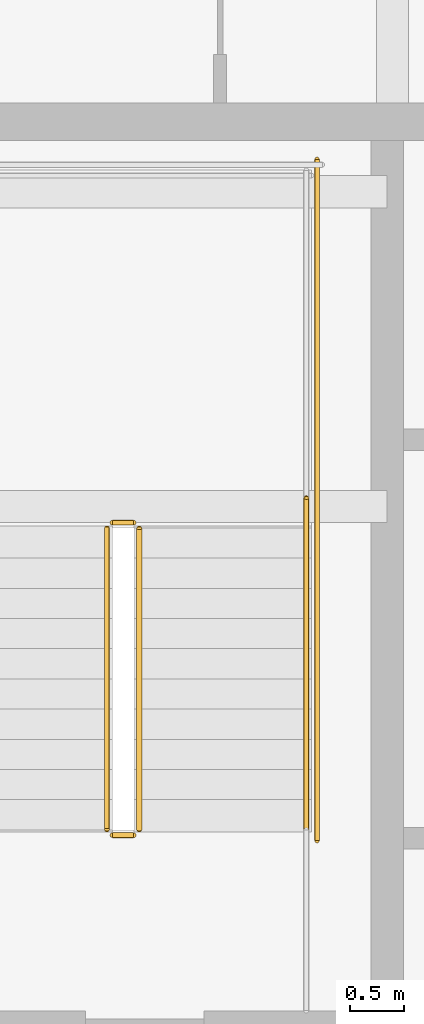
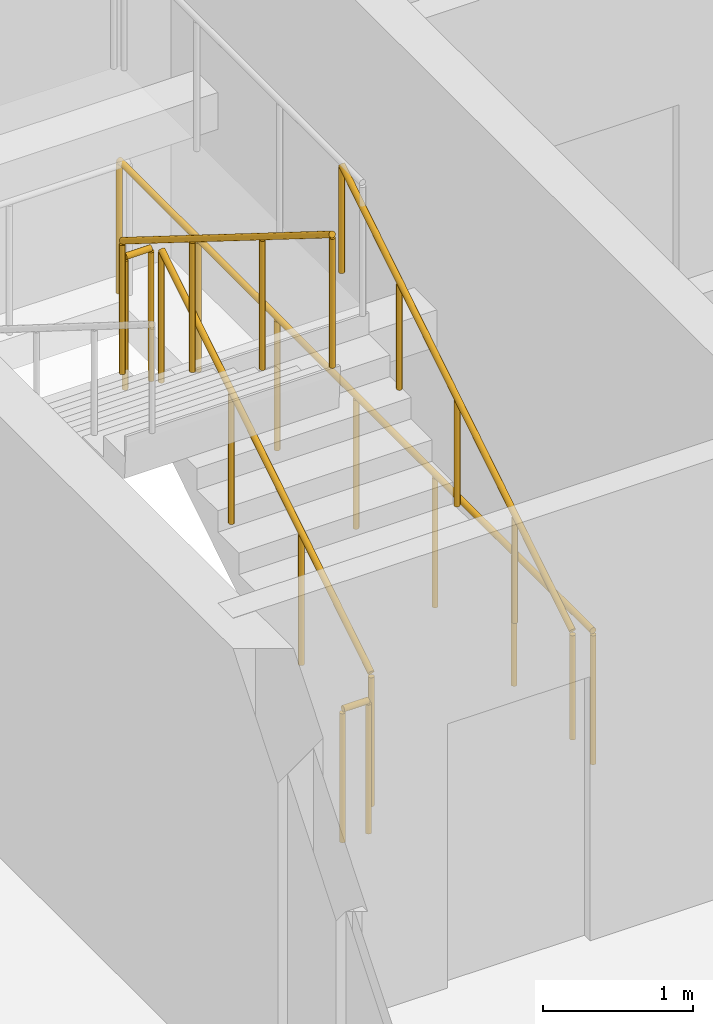
# One storey, part 33 of 37: 6 railings.
"""IFC4 building model written with IfcOpenShell, lengths in metres."""

from ifc_helpers import new_model, si_unit, direction, frame, origin, origin_2d, place, context, subcontext, project, spatial, circle, extrude, material, type_object, element, save


model = new_model("IFC4")

# Units and contexts
model_context = context("Model", 3, precision=1e-05, world=origin(), true_north=direction((0.0, 1.0)))
body_context = subcontext(model_context, "Body", "Model", "MODEL_VIEW")
ifc_project = project(units=[si_unit("LENGTHUNIT", "METRE"), si_unit("AREAUNIT", "SQUARE_METRE"), si_unit("VOLUMEUNIT", "CUBIC_METRE"), si_unit("PLANEANGLEUNIT", "RADIAN"), si_unit("MASSUNIT", "GRAM", prefix="KILO")], contexts=[model_context])

# Site, building, storey
site_placement = place(None, origin())
site = spatial("IfcSite", under=ifc_project, at=site_placement, CompositionType="ELEMENT")
building_placement = place(site_placement, origin())
building = spatial("IfcBuilding", under=site, at=building_placement, Name="Serunith Strait Residences", CompositionType="ELEMENT")
storey_placement = place(building_placement, frame((0.0, 0.0, 218.14990234375)))
storey = spatial("IfcBuildingStorey", under=building, at=storey_placement, Name="L54", CompositionType="ELEMENT", Elevation=218.14990234375)

# Railings
ifc_material = material(Name="Brushed stainless steel 316L", Category="steel")
railing_type_1 = type_object("IfcRailingType", Name="RLG-STAIR-GUARD", PredefinedType="BALUSTRADE", material=ifc_material)
railing_1_placement = place(storey_placement, frame((25.550048828125, 27.030029296875, 0.175048828125)))
element("IfcRailing", 1, at=railing_1_placement, inside=storey, type_object=railing_type_1, Name="L54 ST-1 stair guard 1", PredefinedType="BALUSTRADE", context=body_context, shape_type="SweptSolid", body=[
    extrude(circle(Radius=0.02392578125, at=origin_2d()), frame((0.0, 0.001708984375, 1.0771484375), z_axis=(0.0, 0.848002457836, 0.529992293815), x_axis=(-1.0, 0.0, 0.0)), (0.0, 0.0, 1.0), 3.2978515625),
    extrude(circle(Radius=0.02099609375, at=origin_2d()), origin(), (0.0, 0.0, 1.0), 1.050048828125),
    extrude(circle(Radius=0.02099609375, at=origin_2d()), frame((0.0, 0.933349609375, 0.583251953125)), (0.0, 0.0, 1.0), 1.050048828125),
    extrude(circle(Radius=0.02099609375, at=origin_2d()), frame((0.0, 1.86669921875, 1.166748046875)), (0.0, 0.0, 1.0), 1.050048828125),
    extrude(circle(Radius=0.02099609375, at=origin_2d()), frame((0.0, 2.800048828125, 1.75)), (0.0, 0.0, 1.0), 1.050048828125),
])
railing_2_placement = place(storey_placement, frame((25.5, 29.8798828125, 1.925048828125)))
element("IfcRailing", 2, at=railing_2_placement, inside=storey, type_object=railing_type_1, Name="L54 ST-1 stair guard 2", PredefinedType="BALUSTRADE", context=body_context, shape_type="SweptSolid", body=[
    extrude(circle(Radius=0.02392578125, at=origin_2d()), frame((-0.001953125, 0.0, 1.076171875), z_axis=(-1.0, 0.0, 0.0), x_axis=(0.0, -1.0, 0.0)), (0.0, 0.0, 1.0), 0.196044921875),
    extrude(circle(Radius=0.02099609375, at=origin_2d()), origin(), (0.0, 0.0, 1.0), 1.050048828125),
    extrude(circle(Radius=0.02099609375, at=origin_2d()), frame((-0.199951171875, 0.0, 0.0)), (0.0, 0.0, 1.0), 1.050048828125),
])
railing_3_placement = place(storey_placement, frame((25.25, 29.830078125, 2.10009765625)))
element("IfcRailing", 3, at=railing_3_placement, inside=storey, type_object=railing_type_1, Name="L54 ST-1 stair guard 6", PredefinedType="BALUSTRADE", context=body_context, shape_type="SweptSolid", body=[
    extrude(circle(Radius=0.02392578125, at=origin_2d()), frame((0.0, -0.001708984375, 1.0771484375), z_axis=(0.0, -0.848002457836, 0.529992293815), x_axis=(1.0, 0.0, 0.0)), (0.0, 0.0, 1.0), 3.2978515625),
    extrude(circle(Radius=0.02099609375, at=origin_2d()), origin(), (0.0, 0.0, 1.0), 1.050048828125),
    extrude(circle(Radius=0.02099609375, at=origin_2d()), frame((0.0, -0.933349609375, 0.583251953125)), (0.0, 0.0, 1.0), 1.050048828125),
    extrude(circle(Radius=0.02099609375, at=origin_2d()), frame((0.0, -1.86669921875, 1.166748046875)), (0.0, 0.0, 1.0), 1.050048828125),
    extrude(circle(Radius=0.02099609375, at=origin_2d()), frame((0.0, -2.800048828125, 1.75)), (0.0, 0.0, 1.0), 1.050048828125),
])
railing_4_placement = place(storey_placement, frame((25.5, 26.97998046875, 0.0)))
element("IfcRailing", 4, at=railing_4_placement, inside=storey, type_object=railing_type_1, Name="L54 ST-1 stair guard 7", PredefinedType="BALUSTRADE", context=body_context, shape_type="SweptSolid", body=[
    extrude(circle(Radius=0.02392578125, at=origin_2d()), frame((-0.001953125, 0.0, 1.076171875), z_axis=(-1.0, 0.0, 0.0), x_axis=(0.0, -1.0, 0.0)), (0.0, 0.0, 1.0), 0.196044921875),
    extrude(circle(Radius=0.02099609375, at=origin_2d()), origin(), (0.0, 0.0, 1.0), 1.050048828125),
    extrude(circle(Radius=0.02099609375, at=origin_2d()), frame((-0.199951171875, 0.0, 0.0)), (0.0, 0.0, 1.0), 1.050048828125),
])
railing_5_placement = place(storey_placement, frame((27.199951171875, 26.929931640625, 0.0)))
element("IfcRailing", 5, at=railing_5_placement, inside=storey, type_object=railing_type_1, Name="L54 ST-1 stair guard 10", PredefinedType="BALUSTRADE", context=body_context, shape_type="SweptSolid", body=[
    extrude(circle(Radius=0.02392578125, at=origin_2d()), frame((0.0, 0.001953125, 1.076171875), z_axis=(0.0, 1.0, 0.0), x_axis=(-1.0, 0.0, 0.0)), (0.0, 0.0, 1.0), 6.316162109375),
    extrude(circle(Radius=0.02099609375, at=origin_2d()), origin(), (0.0, 0.0, 1.0), 1.050048828125),
    extrude(circle(Radius=0.02099609375, at=origin_2d()), frame((0.0, 1.05322265625, 0.0)), (0.0, 0.0, 1.0), 1.050048828125),
    extrude(circle(Radius=0.02099609375, at=origin_2d()), frame((0.0, 2.106689453125, 0.0)), (0.0, 0.0, 1.0), 1.050048828125),
    extrude(circle(Radius=0.02099609375, at=origin_2d()), frame((0.0, 3.16015625, 0.0)), (0.0, 0.0, 1.0), 1.050048828125),
    extrude(circle(Radius=0.02099609375, at=origin_2d()), frame((0.0, 4.21337890625, 0.0)), (0.0, 0.0, 1.0), 1.050048828125),
    extrude(circle(Radius=0.02099609375, at=origin_2d()), frame((0.0, 5.2666015625, 0.0)), (0.0, 0.0, 1.0), 1.050048828125),
    extrude(circle(Radius=0.02099609375, at=origin_2d()), frame((0.0, 6.320068359375, 0.0)), (0.0, 0.0, 1.0), 1.050048828125),
])
railing_type_2 = type_object("IfcRailingType", Name="RLG-STAIR-HR", PredefinedType="HANDRAIL", material=ifc_material)
railing_6_placement = place(storey_placement, frame((27.10009765625, 27.030029296875, 0.175048828125)))
element("IfcRailing", 6, at=railing_6_placement, inside=storey, type_object=railing_type_2, Name="L54 ST-1 stair handrail 1", PredefinedType="HANDRAIL", context=body_context, shape_type="SweptSolid", body=[
    extrude(circle(Radius=0.02392578125, at=origin_2d()), frame((0.0, 0.001708984375, 0.876953125), z_axis=(0.0, 0.847393994688, 0.530964610654), x_axis=(-1.0, 0.0, 0.0)), (0.0, 0.0, 1.0), 3.630859375),
    extrude(circle(Radius=0.02099609375, at=origin_2d()), origin(), (0.0, 0.0, 1.0), 0.849853515625),
    extrude(circle(Radius=0.02099609375, at=origin_2d()), frame((0.0, 0.77001953125, 0.482421875)), (0.0, 0.0, 1.0), 0.849853515625),
    extrude(circle(Radius=0.02099609375, at=origin_2d()), frame((0.0, 1.5400390625, 0.96484375)), (0.0, 0.0, 1.0), 0.849853515625),
    extrude(circle(Radius=0.02099609375, at=origin_2d()), frame((0.0, 2.31005859375, 1.447509765625)), (0.0, 0.0, 1.0), 0.849853515625),
    extrude(circle(Radius=0.02099609375, at=origin_2d()), frame((0.0, 3.080078125, 1.929931640625)), (0.0, 0.0, 1.0), 0.849853515625),
])

save(model, "model.ifc")
